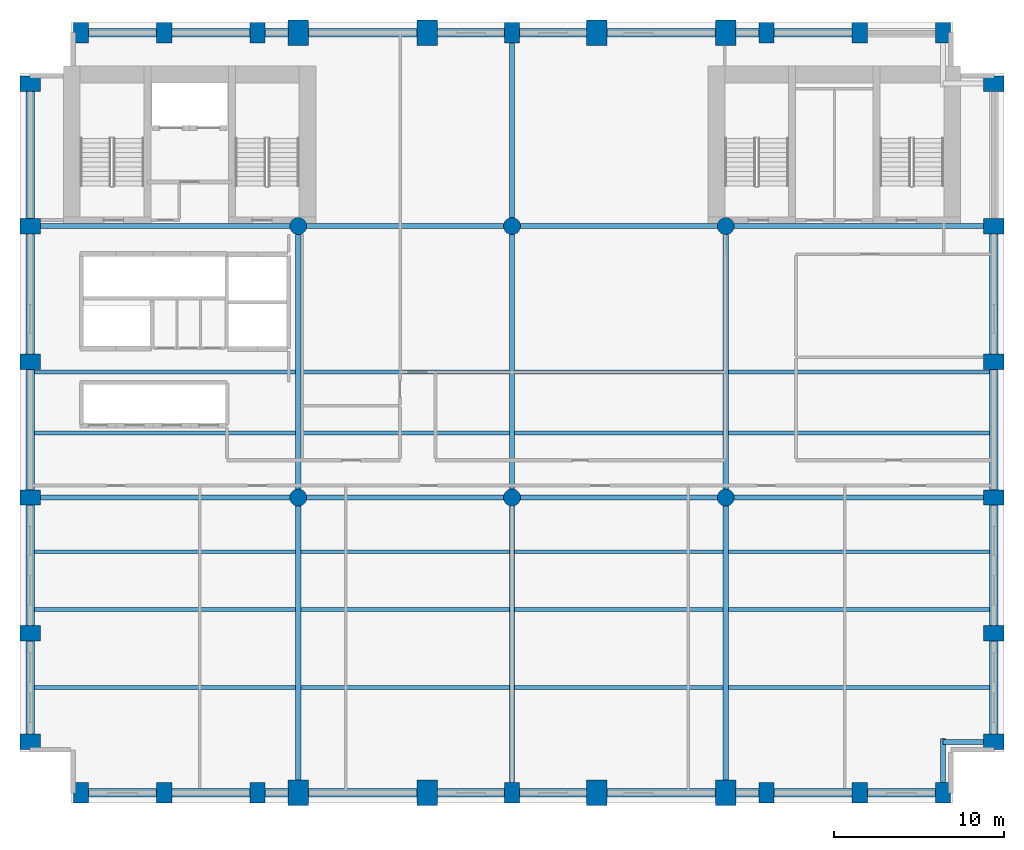
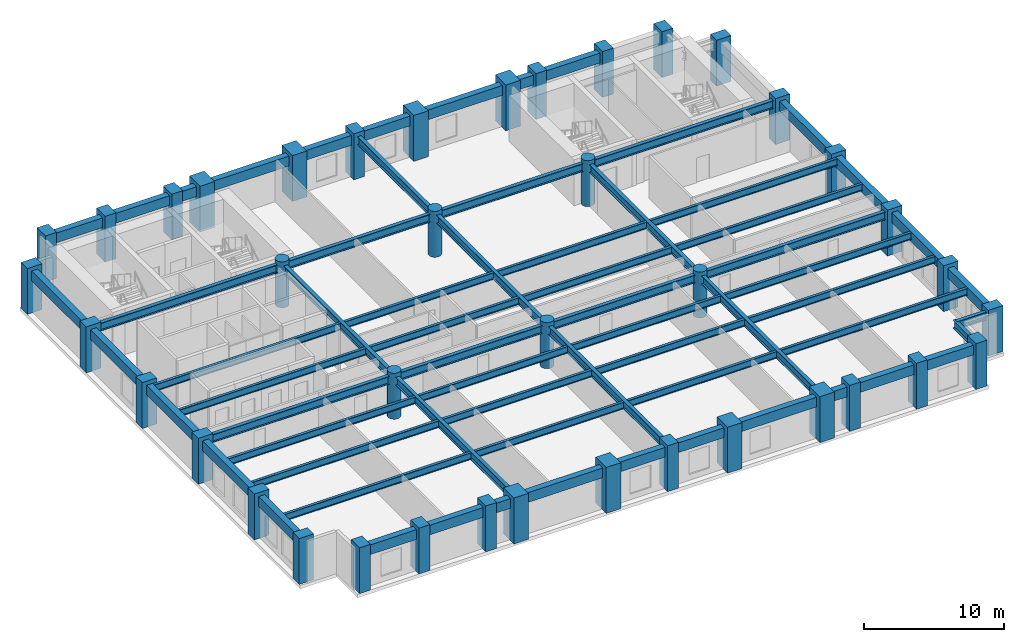
# One storey, part 1 of 8: 65 beams, 40 columns.
"""IFC4 building model written with IfcOpenShell, lengths in metres."""

from ifc_helpers import new_model, si_unit, direction, frame, origin, origin_2d, place, context, subcontext, project, spatial, rectangle, circle, i_section, extrude, material, material_profile, profile_set, type_object, element, save


model = new_model("IFC4")

# Units and contexts
model_context = context("Model", 3, precision=1e-05, world=origin(), true_north=direction((0.0, 1.0)))
body_context = subcontext(model_context, "Body", "Model", "MODEL_VIEW")
ifc_project = project(units=[si_unit("LENGTHUNIT", "METRE"), si_unit("AREAUNIT", "SQUARE_METRE"), si_unit("VOLUMEUNIT", "CUBIC_METRE"), si_unit("PLANEANGLEUNIT", "RADIAN"), si_unit("MASSUNIT", "GRAM", prefix="KILO")], contexts=[model_context])

# Site, building, storey
site_placement = place(None, origin())
site = spatial("IfcSite", under=ifc_project, at=site_placement, CompositionType="ELEMENT")
building_placement = place(site_placement, origin())
building = spatial("IfcBuilding", under=site, at=building_placement, Name="Sulina Concourse Tower", CompositionType="ELEMENT")
storey_placement = place(building_placement, frame((0.0, 0.0, 78.60009765625)))
storey = spatial("IfcBuildingStorey", under=building, at=storey_placement, Name="L19", CompositionType="ELEMENT", Elevation=78.60009765625)

# Columns
ifc_material_1 = material(Name="Concrete C60/75", Category="concrete")
ifc_material_profile_1 = material_profile(ifc_material_1, circle(Radius=0.5, at=origin_2d()), Name="RC D1000")
ifc_profile_set_1 = profile_set([ifc_material_profile_1], Name="Concrete C60/75")
column_type_1 = type_object("IfcColumnType", Name="Lower Interior Circular Column D1000", PredefinedType="COLUMN", material=ifc_profile_set_1)
for number, where, z_axis, x_axis, name in (
    (1, (16.39990234375, 18.0, 0.0), (0.0, 0.0, 1.0), (1.0, 0.0, 0.0), "L19 structural column IC-M-164"),
    (2, (16.39990234375, 34.0, 0.0), (0.0, 0.0, 1.0), (1.0, 0.0, 0.0), "L19 structural column IC-N-164"),
    (3, (29.0, 18.0, 0.0), (0.0, 0.0, 1.0), (1.0, 0.0, 0.0), "L19 structural column IC-M-290"),
    (4, (29.0, 34.0, 0.0), (0.0, 0.0, 1.0), (1.0, 0.0, 0.0), "L19 structural column IC-N-290"),
    (5, (41.60009765625, 18.0, 0.0), (0.0, 0.0, 1.0), (1.0, 0.0, 0.0), "L19 structural column IC-M-416"),
    (6, (41.60009765625, 34.0, 0.0), (0.0, 0.0, 1.0), (1.0, 0.0, 0.0), "L19 structural column IC-N-416"),
):
    element("IfcColumn", number, at=place(storey_placement, frame(where, z_axis=z_axis, x_axis=x_axis)), inside=storey, type_object=column_type_1, Name=name, PredefinedType="COLUMN", context=body_context, shape_type="SweptSolid", body=[
        extrude(circle(Radius=0.5, at=origin_2d()), origin(), (0.0, 0.0, 1.0), 4.0),
    ])
ifc_material_2 = material(Name="Concrete C80/95", Category="concrete")
ifc_material_profile_2 = material_profile(ifc_material_2, rectangle(XDim=1.199951171875, YDim=1.5, at=origin_2d()), Name="RC 1200x1500")
ifc_profile_set_2 = profile_set([ifc_material_profile_2], Name="Concrete C80/95")
column_type_2 = type_object("IfcColumnType", Name="Lower Portal End-Leg Column 1200x1500", PredefinedType="COLUMN", material=ifc_profile_set_2)
for number, where, z_axis, x_axis, name in (
    (7, (16.39990234375, 0.60009765625, 0.0), (0.0, 0.0, 1.0), (1.0, 0.0, 0.0), "L19 structural column TP-S-164"),
    (8, (16.39990234375, 45.39990234375, 0.0), (0.0, 0.0, 1.0), (1.0, 0.0, 0.0), "L19 structural column TP-N-164"),
    (9, (24.0, 0.60009765625, 0.0), (0.0, 0.0, 1.0), (1.0, 0.0, 0.0), "L19 structural column TP-S-240"),
    (10, (24.0, 45.39990234375, 0.0), (0.0, 0.0, 1.0), (1.0, 0.0, 0.0), "L19 structural column TP-N-240"),
    (11, (34.0, 0.60009765625, 0.0), (0.0, 0.0, 1.0), (1.0, 0.0, 0.0), "L19 structural column TP-S-340"),
    (12, (34.0, 45.39990234375, 0.0), (0.0, 0.0, 1.0), (1.0, 0.0, 0.0), "L19 structural column TP-N-340"),
    (13, (41.60009765625, 0.60009765625, 0.0), (0.0, 0.0, 1.0), (1.0, 0.0, 0.0), "L19 structural column TP-S-416"),
    (14, (41.60009765625, 45.39990234375, 0.0), (0.0, 0.0, 1.0), (1.0, 0.0, 0.0), "L19 structural column TP-N-416"),
):
    element("IfcColumn", number, at=place(storey_placement, frame(where, z_axis=z_axis, x_axis=x_axis)), inside=storey, type_object=column_type_2, Name=name, PredefinedType="COLUMN", context=body_context, shape_type="SweptSolid", body=[
        extrude(rectangle(XDim=1.199951171875, YDim=1.5, at=origin_2d()), origin(), (0.0, 0.0, 1.0), 4.0),
    ])
ifc_material_3 = material(Name="Precast concrete C60/75", Category="concrete")
ifc_material_profile_3 = material_profile(ifc_material_3, rectangle(XDim=0.89990234375, YDim=1.199951171875, at=origin_2d()), Name="PC 900x1200")
ifc_profile_set_3 = profile_set([ifc_material_profile_3], Name="Precast concrete C60/75")
column_type_3 = type_object("IfcColumnType", Name="Precast Tube Pier Zone 1 900x1200", PredefinedType="COLUMN", material=ifc_profile_set_3)
for number, where, z_axis, x_axis, name in (
    (15, (3.60009765625, 0.60009765625, 0.0), (0.0, 0.0, 1.0), (1.0, 0.0, 0.0), "L19 structural column TP-S-36"),
    (16, (3.60009765625, 45.39990234375, 0.0), (0.0, 0.0, 1.0), (1.0, 0.0, 0.0), "L19 structural column TP-N-36"),
    (17, (8.5, 0.60009765625, 0.0), (0.0, 0.0, 1.0), (1.0, 0.0, 0.0), "L19 structural column TP-S-85"),
    (18, (8.5, 45.39990234375, 0.0), (0.0, 0.0, 1.0), (1.0, 0.0, 0.0), "L19 structural column TP-N-85"),
    (19, (14.0, 0.60009765625, 0.0), (0.0, 0.0, 1.0), (1.0, 0.0, 0.0), "L19 structural column TP-S-140"),
    (20, (14.0, 45.39990234375, 0.0), (0.0, 0.0, 1.0), (1.0, 0.0, 0.0), "L19 structural column TP-N-140"),
    (21, (29.0, 0.60009765625, 0.0), (0.0, 0.0, 1.0), (1.0, 0.0, 0.0), "L19 structural column TP-S-290"),
    (22, (29.0, 45.39990234375, 0.0), (0.0, 0.0, 1.0), (1.0, 0.0, 0.0), "L19 structural column TP-N-290"),
    (23, (44.0, 0.60009765625, 0.0), (0.0, 0.0, 1.0), (1.0, 0.0, 0.0), "L19 structural column TP-S-440"),
    (24, (44.0, 45.39990234375, 0.0), (0.0, 0.0, 1.0), (1.0, 0.0, 0.0), "L19 structural column TP-N-440"),
    (25, (49.5, 0.60009765625, 0.0), (0.0, 0.0, 1.0), (1.0, 0.0, 0.0), "L19 structural column TP-S-495"),
    (26, (49.5, 45.39990234375, 0.0), (0.0, 0.0, 1.0), (1.0, 0.0, 0.0), "L19 structural column TP-N-495"),
    (27, (54.39990234375, 0.60009765625, 0.0), (0.0, 0.0, 1.0), (1.0, 0.0, 0.0), "L19 structural column TP-S-544"),
    (28, (54.39990234375, 45.39990234375, 0.0), (0.0, 0.0, 1.0), (1.0, 0.0, 0.0), "L19 structural column TP-N-544"),
    (29, (0.60009765625, 3.60009765625, 0.0), (0.0, 0.0, 1.0), (0.0, 1.0, 0.0), "L19 structural column TP-W-36"),
    (30, (57.39990234375, 3.60009765625, 0.0), (0.0, 0.0, 1.0), (0.0, 1.0, 0.0), "L19 structural column TP-E-36"),
    (31, (0.60009765625, 10.0, 0.0), (0.0, 0.0, 1.0), (0.0, 1.0, 0.0), "L19 structural column TP-W-100"),
    (32, (57.39990234375, 10.0, 0.0), (0.0, 0.0, 1.0), (0.0, 1.0, 0.0), "L19 structural column TP-E-100"),
    (33, (0.60009765625, 18.0, 0.0), (0.0, 0.0, 1.0), (0.0, 1.0, 0.0), "L19 structural column TP-W-180"),
    (34, (57.39990234375, 18.0, 0.0), (0.0, 0.0, 1.0), (0.0, 1.0, 0.0), "L19 structural column TP-E-180"),
    (35, (0.60009765625, 26.0, 0.0), (0.0, 0.0, 1.0), (0.0, 1.0, 0.0), "L19 structural column TP-W-260"),
    (36, (57.39990234375, 26.0, 0.0), (0.0, 0.0, 1.0), (0.0, 1.0, 0.0), "L19 structural column TP-E-260"),
    (37, (0.60009765625, 34.0, 0.0), (0.0, 0.0, 1.0), (0.0, 1.0, 0.0), "L19 structural column TP-W-340"),
    (38, (57.39990234375, 34.0, 0.0), (0.0, 0.0, 1.0), (0.0, 1.0, 0.0), "L19 structural column TP-E-340"),
    (39, (0.60009765625, 42.39990234375, 0.0), (0.0, 0.0, 1.0), (0.0, 1.0, 0.0), "L19 structural column TP-W-424"),
    (40, (57.39990234375, 42.39990234375, 0.0), (0.0, 0.0, 1.0), (0.0, 1.0, 0.0), "L19 structural column TP-E-424"),
):
    element("IfcColumn", number, at=place(storey_placement, frame(where, z_axis=z_axis, x_axis=x_axis)), inside=storey, type_object=column_type_3, Name=name, PredefinedType="COLUMN", context=body_context, shape_type="SweptSolid", body=[
        extrude(rectangle(XDim=0.89990234375, YDim=1.199951171875, at=origin_2d()), origin(), (0.0, 0.0, 1.0), 4.0),
    ])

# Beams
ifc_material_4 = material(Name="Steel S355", Category="steel")
ifc_material_profile_4 = material_profile(ifc_material_4, i_section(OverallWidth=0.219970703125, OverallDepth=0.60009765625, WebThickness=0.011962890625, FlangeThickness=0.01904296875, at=origin_2d()), Name="IPE 600")
ifc_profile_set_4 = profile_set([ifc_material_profile_4], Name="Steel S355")
beam_type_1 = type_object("IfcBeamType", Name="Composite Floor Joist IPE600", PredefinedType="JOIST", material=ifc_profile_set_4)
beam_1_placement = place(storey_placement, frame((0.85009765625, 6.800048828125, 3.35986328125), z_axis=(1.0, 0.0, 0.0), x_axis=(0.0, 1.0, 0.0)))
element("IfcBeam", 41, at=beam_1_placement, inside=storey, type_object=beam_type_1, Name="FJ-J06-1-L19", PredefinedType="JOIST", context=body_context, shape_type="SweptSolid", body=[
    extrude(i_section(OverallWidth=0.219970703125, OverallDepth=0.60009765625, WebThickness=0.011962890625, FlangeThickness=0.01904296875, at=origin_2d()), origin(), (0.0, 0.0, 1.0), 15.39990234375),
])
for number, where, z_axis, x_axis, name in (
    (42, (16.550048828125, 6.800048828125, 3.35986328125), (1.0, 0.0, 0.0), (0.0, 1.0, 0.0), "FJ-J06-2-L19"),
    (43, (29.14990234375, 6.800048828125, 3.35986328125), (1.0, 0.0, 0.0), (0.0, 1.0, 0.0), "FJ-J06-3-L19"),
):
    element("IfcBeam", number, at=place(storey_placement, frame(where, z_axis=z_axis, x_axis=x_axis)), inside=storey, type_object=beam_type_1, Name=name, PredefinedType="JOIST", context=body_context, shape_type="SweptSolid", body=[
        extrude(i_section(OverallWidth=0.219970703125, OverallDepth=0.60009765625, WebThickness=0.011962890625, FlangeThickness=0.01904296875, at=origin_2d()), origin(), (0.0, 0.0, 1.0), 12.300048828125),
    ])
for number, where, z_axis, x_axis, name in (
    (44, (41.75, 6.800048828125, 3.35986328125), (1.0, 0.0, 0.0), (0.0, 1.0, 0.0), "FJ-J06-4-L19"),
    (45, (0.85009765625, 11.39990234375, 3.35986328125), (1.0, 0.0, 0.0), (0.0, 1.0, 0.0), "FJ-J11-1-L19"),
):
    element("IfcBeam", number, at=place(storey_placement, frame(where, z_axis=z_axis, x_axis=x_axis)), inside=storey, type_object=beam_type_1, Name=name, PredefinedType="JOIST", context=body_context, shape_type="SweptSolid", body=[
        extrude(i_section(OverallWidth=0.219970703125, OverallDepth=0.60009765625, WebThickness=0.011962890625, FlangeThickness=0.01904296875, at=origin_2d()), origin(), (0.0, 0.0, 1.0), 15.39990234375),
    ])
for number, where, z_axis, x_axis, name in (
    (46, (16.550048828125, 11.39990234375, 3.35986328125), (1.0, 0.0, 0.0), (0.0, 1.0, 0.0), "FJ-J11-2-L19"),
    (47, (29.14990234375, 11.39990234375, 3.35986328125), (1.0, 0.0, 0.0), (0.0, 1.0, 0.0), "FJ-J11-3-L19"),
):
    element("IfcBeam", number, at=place(storey_placement, frame(where, z_axis=z_axis, x_axis=x_axis)), inside=storey, type_object=beam_type_1, Name=name, PredefinedType="JOIST", context=body_context, shape_type="SweptSolid", body=[
        extrude(i_section(OverallWidth=0.219970703125, OverallDepth=0.60009765625, WebThickness=0.011962890625, FlangeThickness=0.01904296875, at=origin_2d()), origin(), (0.0, 0.0, 1.0), 12.300048828125),
    ])
for number, where, z_axis, x_axis, name in (
    (48, (41.75, 11.39990234375, 3.35986328125), (1.0, 0.0, 0.0), (0.0, 1.0, 0.0), "FJ-J11-4-L19"),
    (49, (0.85009765625, 14.800048828125, 3.35986328125), (1.0, 0.0, 0.0), (0.0, 1.0, 0.0), "FJ-J15-1-L19"),
):
    element("IfcBeam", number, at=place(storey_placement, frame(where, z_axis=z_axis, x_axis=x_axis)), inside=storey, type_object=beam_type_1, Name=name, PredefinedType="JOIST", context=body_context, shape_type="SweptSolid", body=[
        extrude(i_section(OverallWidth=0.219970703125, OverallDepth=0.60009765625, WebThickness=0.011962890625, FlangeThickness=0.01904296875, at=origin_2d()), origin(), (0.0, 0.0, 1.0), 15.39990234375),
    ])
for number, where, z_axis, x_axis, name in (
    (50, (16.550048828125, 14.800048828125, 3.35986328125), (1.0, 0.0, 0.0), (0.0, 1.0, 0.0), "FJ-J15-2-L19"),
    (51, (29.14990234375, 14.800048828125, 3.35986328125), (1.0, 0.0, 0.0), (0.0, 1.0, 0.0), "FJ-J15-3-L19"),
):
    element("IfcBeam", number, at=place(storey_placement, frame(where, z_axis=z_axis, x_axis=x_axis)), inside=storey, type_object=beam_type_1, Name=name, PredefinedType="JOIST", context=body_context, shape_type="SweptSolid", body=[
        extrude(i_section(OverallWidth=0.219970703125, OverallDepth=0.60009765625, WebThickness=0.011962890625, FlangeThickness=0.01904296875, at=origin_2d()), origin(), (0.0, 0.0, 1.0), 12.300048828125),
    ])
for number, where, z_axis, x_axis, name in (
    (52, (41.75, 14.800048828125, 3.35986328125), (1.0, 0.0, 0.0), (0.0, 1.0, 0.0), "FJ-J15-4-L19"),
    (53, (0.85009765625, 21.800048828125, 3.35986328125), (1.0, 0.0, 0.0), (0.0, 1.0, 0.0), "FJ-J22-1-L19"),
):
    element("IfcBeam", number, at=place(storey_placement, frame(where, z_axis=z_axis, x_axis=x_axis)), inside=storey, type_object=beam_type_1, Name=name, PredefinedType="JOIST", context=body_context, shape_type="SweptSolid", body=[
        extrude(i_section(OverallWidth=0.219970703125, OverallDepth=0.60009765625, WebThickness=0.011962890625, FlangeThickness=0.01904296875, at=origin_2d()), origin(), (0.0, 0.0, 1.0), 15.39990234375),
    ])
for number, where, z_axis, x_axis, name in (
    (54, (16.550048828125, 21.800048828125, 3.35986328125), (1.0, 0.0, 0.0), (0.0, 1.0, 0.0), "FJ-J22-2-L19"),
    (55, (29.14990234375, 21.800048828125, 3.35986328125), (1.0, 0.0, 0.0), (0.0, 1.0, 0.0), "FJ-J22-3-L19"),
):
    element("IfcBeam", number, at=place(storey_placement, frame(where, z_axis=z_axis, x_axis=x_axis)), inside=storey, type_object=beam_type_1, Name=name, PredefinedType="JOIST", context=body_context, shape_type="SweptSolid", body=[
        extrude(i_section(OverallWidth=0.219970703125, OverallDepth=0.60009765625, WebThickness=0.011962890625, FlangeThickness=0.01904296875, at=origin_2d()), origin(), (0.0, 0.0, 1.0), 12.300048828125),
    ])
for number, where, z_axis, x_axis, name in (
    (56, (41.75, 21.800048828125, 3.35986328125), (1.0, 0.0, 0.0), (0.0, 1.0, 0.0), "FJ-J22-4-L19"),
    (57, (0.85009765625, 25.39990234375, 3.35986328125), (1.0, 0.0, 0.0), (0.0, 1.0, 0.0), "FJ-J25-1-L19"),
):
    element("IfcBeam", number, at=place(storey_placement, frame(where, z_axis=z_axis, x_axis=x_axis)), inside=storey, type_object=beam_type_1, Name=name, PredefinedType="JOIST", context=body_context, shape_type="SweptSolid", body=[
        extrude(i_section(OverallWidth=0.219970703125, OverallDepth=0.60009765625, WebThickness=0.011962890625, FlangeThickness=0.01904296875, at=origin_2d()), origin(), (0.0, 0.0, 1.0), 15.39990234375),
    ])
for number, where, z_axis, x_axis, name in (
    (58, (16.550048828125, 25.39990234375, 3.35986328125), (1.0, 0.0, 0.0), (0.0, 1.0, 0.0), "FJ-J25-2-L19"),
    (59, (29.14990234375, 25.39990234375, 3.35986328125), (1.0, 0.0, 0.0), (0.0, 1.0, 0.0), "FJ-J25-3-L19"),
):
    element("IfcBeam", number, at=place(storey_placement, frame(where, z_axis=z_axis, x_axis=x_axis)), inside=storey, type_object=beam_type_1, Name=name, PredefinedType="JOIST", context=body_context, shape_type="SweptSolid", body=[
        extrude(i_section(OverallWidth=0.219970703125, OverallDepth=0.60009765625, WebThickness=0.011962890625, FlangeThickness=0.01904296875, at=origin_2d()), origin(), (0.0, 0.0, 1.0), 12.300048828125),
    ])
beam_2_placement = place(storey_placement, frame((41.75, 25.39990234375, 3.35986328125), z_axis=(1.0, 0.0, 0.0), x_axis=(0.0, 1.0, 0.0)))
element("IfcBeam", 60, at=beam_2_placement, inside=storey, type_object=beam_type_1, Name="FJ-J25-4-L19", PredefinedType="JOIST", context=body_context, shape_type="SweptSolid", body=[
    extrude(i_section(OverallWidth=0.219970703125, OverallDepth=0.60009765625, WebThickness=0.011962890625, FlangeThickness=0.01904296875, at=origin_2d()), origin(), (0.0, 0.0, 1.0), 15.39990234375),
])
ifc_material_5 = material(Name="Steel S355", Category="steel")
ifc_material_profile_5 = material_profile(ifc_material_5, i_section(OverallWidth=0.300048828125, OverallDepth=0.699951171875, WebThickness=0.01708984375, FlangeThickness=0.031982421875, at=origin_2d()), Name="HE 700 B")
ifc_profile_set_5 = profile_set([ifc_material_profile_5], Name="Steel S355")
beam_type_2 = type_object("IfcBeamType", Name="Floor Primary Girder Zone 1 HE700B", PredefinedType="BEAM", material=ifc_profile_set_5)
beam_3_placement = place(storey_placement, frame((54.39990234375, 3.60009765625, 3.309814453125), z_axis=(1.0, 0.0, 0.0), x_axis=(0.0, 1.0, 0.0)))
element("IfcBeam", 61, at=beam_3_placement, inside=storey, type_object=beam_type_2, Name="TIE-SE-L19", PredefinedType="BEAM", context=body_context, shape_type="SweptSolid", body=[
    extrude(i_section(OverallWidth=0.300048828125, OverallDepth=0.699951171875, WebThickness=0.01708984375, FlangeThickness=0.031982421875, at=origin_2d()), origin(), (0.0, 0.0, 1.0), 2.570068359375),
])
beam_4_placement = place(storey_placement, frame((54.39990234375, 1.030029296875, 3.309814453125), z_axis=(0.0, 1.0, 0.0), x_axis=(-1.0, 0.0, 0.0)))
element("IfcBeam", 62, at=beam_4_placement, inside=storey, type_object=beam_type_2, Name="TIE-SES-L19", PredefinedType="BEAM", context=body_context, shape_type="SweptSolid", body=[
    extrude(i_section(OverallWidth=0.300048828125, OverallDepth=0.699951171875, WebThickness=0.01708984375, FlangeThickness=0.031982421875, at=origin_2d()), origin(), (0.0, 0.0, 1.0), 2.77001953125),
])
beam_5_placement = place(storey_placement, frame((1.030029296875, 18.0, 3.309814453125), z_axis=(1.0, 0.0, 0.0), x_axis=(0.0, 1.0, 0.0)))
element("IfcBeam", 63, at=beam_5_placement, inside=storey, type_object=beam_type_2, Name="FG-EW1-L19", PredefinedType="BEAM", context=body_context, shape_type="SweptSolid", body=[
    extrude(i_section(OverallWidth=0.300048828125, OverallDepth=0.699951171875, WebThickness=0.01708984375, FlangeThickness=0.031982421875, at=origin_2d()), origin(), (0.0, 0.0, 1.0), 14.889892578125),
])
for number, where, z_axis, x_axis, name in (
    (64, (16.8798828125, 18.0, 3.309814453125), (1.0, 0.0, 0.0), (0.0, 1.0, 0.0), "FG-EW2-L19"),
    (65, (29.47998046875, 18.0, 3.309814453125), (1.0, 0.0, 0.0), (0.0, 1.0, 0.0), "FG-EW3-L19"),
):
    element("IfcBeam", number, at=place(storey_placement, frame(where, z_axis=z_axis, x_axis=x_axis)), inside=storey, type_object=beam_type_2, Name=name, PredefinedType="BEAM", context=body_context, shape_type="SweptSolid", body=[
        extrude(i_section(OverallWidth=0.300048828125, OverallDepth=0.699951171875, WebThickness=0.01708984375, FlangeThickness=0.031982421875, at=origin_2d()), origin(), (0.0, 0.0, 1.0), 11.64013671875),
    ])
for number, where, z_axis, x_axis, name in (
    (66, (42.080078125, 18.0, 3.309814453125), (1.0, 0.0, 0.0), (0.0, 1.0, 0.0), "FG-EW4-L19"),
    (67, (1.030029296875, 34.0, 3.309814453125), (1.0, 0.0, 0.0), (0.0, 1.0, 0.0), "FG-EWN1-L19"),
):
    element("IfcBeam", number, at=place(storey_placement, frame(where, z_axis=z_axis, x_axis=x_axis)), inside=storey, type_object=beam_type_2, Name=name, PredefinedType="BEAM", context=body_context, shape_type="SweptSolid", body=[
        extrude(i_section(OverallWidth=0.300048828125, OverallDepth=0.699951171875, WebThickness=0.01708984375, FlangeThickness=0.031982421875, at=origin_2d()), origin(), (0.0, 0.0, 1.0), 14.889892578125),
    ])
for number, where, z_axis, x_axis, name in (
    (68, (16.8798828125, 34.0, 3.309814453125), (1.0, 0.0, 0.0), (0.0, 1.0, 0.0), "FG-EWN2-L19"),
    (69, (29.47998046875, 34.0, 3.309814453125), (1.0, 0.0, 0.0), (0.0, 1.0, 0.0), "FG-EWN3-L19"),
):
    element("IfcBeam", number, at=place(storey_placement, frame(where, z_axis=z_axis, x_axis=x_axis)), inside=storey, type_object=beam_type_2, Name=name, PredefinedType="BEAM", context=body_context, shape_type="SweptSolid", body=[
        extrude(i_section(OverallWidth=0.300048828125, OverallDepth=0.699951171875, WebThickness=0.01708984375, FlangeThickness=0.031982421875, at=origin_2d()), origin(), (0.0, 0.0, 1.0), 11.64013671875),
    ])
beam_6_placement = place(storey_placement, frame((42.080078125, 34.0, 3.309814453125), z_axis=(1.0, 0.0, 0.0), x_axis=(0.0, 1.0, 0.0)))
element("IfcBeam", 70, at=beam_6_placement, inside=storey, type_object=beam_type_2, Name="FG-EWN4-L19", PredefinedType="BEAM", context=body_context, shape_type="SweptSolid", body=[
    extrude(i_section(OverallWidth=0.300048828125, OverallDepth=0.699951171875, WebThickness=0.01708984375, FlangeThickness=0.031982421875, at=origin_2d()), origin(), (0.0, 0.0, 1.0), 14.889892578125),
])
beam_7_placement = place(storey_placement, frame((16.39990234375, 1.179931640625, 3.309814453125), z_axis=(0.0, 1.0, 0.0), x_axis=(-1.0, 0.0, 0.0)))
element("IfcBeam", 71, at=beam_7_placement, inside=storey, type_object=beam_type_2, Name="FG-NSA-16-L19", PredefinedType="BEAM", context=body_context, shape_type="SweptSolid", body=[
    extrude(i_section(OverallWidth=0.300048828125, OverallDepth=0.699951171875, WebThickness=0.01708984375, FlangeThickness=0.031982421875, at=origin_2d()), origin(), (0.0, 0.0, 1.0), 16.340087890625),
])
beam_8_placement = place(storey_placement, frame((16.39990234375, 18.47998046875, 3.309814453125), z_axis=(0.0, 1.0, 0.0), x_axis=(-1.0, 0.0, 0.0)))
element("IfcBeam", 72, at=beam_8_placement, inside=storey, type_object=beam_type_2, Name="FG-NSB-16-L19", PredefinedType="BEAM", context=body_context, shape_type="SweptSolid", body=[
    extrude(i_section(OverallWidth=0.300048828125, OverallDepth=0.699951171875, WebThickness=0.01708984375, FlangeThickness=0.031982421875, at=origin_2d()), origin(), (0.0, 0.0, 1.0), 15.0400390625),
])
beam_9_placement = place(storey_placement, frame((29.0, 1.030029296875, 3.309814453125), z_axis=(0.0, 1.0, 0.0), x_axis=(-1.0, 0.0, 0.0)))
element("IfcBeam", 73, at=beam_9_placement, inside=storey, type_object=beam_type_2, Name="FG-NSA-29-L19", PredefinedType="BEAM", context=body_context, shape_type="SweptSolid", body=[
    extrude(i_section(OverallWidth=0.300048828125, OverallDepth=0.699951171875, WebThickness=0.01708984375, FlangeThickness=0.031982421875, at=origin_2d()), origin(), (0.0, 0.0, 1.0), 16.489990234375),
])
beam_10_placement = place(storey_placement, frame((29.0, 18.47998046875, 3.309814453125), z_axis=(0.0, 1.0, 0.0), x_axis=(-1.0, 0.0, 0.0)))
element("IfcBeam", 74, at=beam_10_placement, inside=storey, type_object=beam_type_2, Name="FG-NSB-29-L19", PredefinedType="BEAM", context=body_context, shape_type="SweptSolid", body=[
    extrude(i_section(OverallWidth=0.300048828125, OverallDepth=0.699951171875, WebThickness=0.01708984375, FlangeThickness=0.031982421875, at=origin_2d()), origin(), (0.0, 0.0, 1.0), 15.0400390625),
])
beam_11_placement = place(storey_placement, frame((29.0, 34.47998046875, 3.309814453125), z_axis=(0.0, 1.0, 0.0), x_axis=(-1.0, 0.0, 0.0)))
element("IfcBeam", 75, at=beam_11_placement, inside=storey, type_object=beam_type_2, Name="FG-NSC-29-L19", PredefinedType="BEAM", context=body_context, shape_type="SweptSolid", body=[
    extrude(i_section(OverallWidth=0.300048828125, OverallDepth=0.699951171875, WebThickness=0.01708984375, FlangeThickness=0.031982421875, at=origin_2d()), origin(), (0.0, 0.0, 1.0), 10.489990234375),
])
beam_12_placement = place(storey_placement, frame((41.60009765625, 1.179931640625, 3.309814453125), z_axis=(0.0, 1.0, 0.0), x_axis=(-1.0, 0.0, 0.0)))
element("IfcBeam", 76, at=beam_12_placement, inside=storey, type_object=beam_type_2, Name="FG-NSA-41-L19", PredefinedType="BEAM", context=body_context, shape_type="SweptSolid", body=[
    extrude(i_section(OverallWidth=0.300048828125, OverallDepth=0.699951171875, WebThickness=0.01708984375, FlangeThickness=0.031982421875, at=origin_2d()), origin(), (0.0, 0.0, 1.0), 16.340087890625),
])
beam_13_placement = place(storey_placement, frame((41.60009765625, 18.47998046875, 3.309814453125), z_axis=(0.0, 1.0, 0.0), x_axis=(-1.0, 0.0, 0.0)))
element("IfcBeam", 77, at=beam_13_placement, inside=storey, type_object=beam_type_2, Name="FG-NSB-41-L19", PredefinedType="BEAM", context=body_context, shape_type="SweptSolid", body=[
    extrude(i_section(OverallWidth=0.300048828125, OverallDepth=0.699951171875, WebThickness=0.01708984375, FlangeThickness=0.031982421875, at=origin_2d()), origin(), (0.0, 0.0, 1.0), 15.0400390625),
])
ifc_material_6 = material(Name="Precast concrete C50/60", Category="concrete")
ifc_material_profile_6 = material_profile(ifc_material_6, rectangle(XDim=0.5, YDim=0.85009765625, at=origin_2d()), Name="RC 500x850")
ifc_profile_set_6 = profile_set([ifc_material_profile_6], Name="Precast concrete C50/60")
beam_type_3 = type_object("IfcBeamType", Name="Lower Precast Spandrel Edge Beam 500x850", PredefinedType="BEAM", material=ifc_profile_set_6)
beam_14_placement = place(storey_placement, frame((4.030029296875, 0.60009765625, 3.23486328125), z_axis=(1.0, 0.0, 0.0), x_axis=(0.0, 1.0, 0.0)))
element("IfcBeam", 78, at=beam_14_placement, inside=storey, type_object=beam_type_3, Name="SP-S1-L19", PredefinedType="BEAM", context=body_context, shape_type="SweptSolid", body=[
    extrude(rectangle(XDim=0.5, YDim=0.85009765625, at=origin_2d()), origin(), (0.0, 0.0, 1.0), 4.0400390625),
])
beam_15_placement = place(storey_placement, frame((8.929931640625, 0.60009765625, 3.23486328125), z_axis=(1.0, 0.0, 0.0), x_axis=(0.0, 1.0, 0.0)))
element("IfcBeam", 79, at=beam_15_placement, inside=storey, type_object=beam_type_3, Name="SP-S2-L19", PredefinedType="BEAM", context=body_context, shape_type="SweptSolid", body=[
    extrude(rectangle(XDim=0.5, YDim=0.85009765625, at=origin_2d()), origin(), (0.0, 0.0, 1.0), 4.64013671875),
])
beam_16_placement = place(storey_placement, frame((14.429931640625, 0.60009765625, 3.23486328125), z_axis=(1.0, 0.0, 0.0), x_axis=(0.0, 1.0, 0.0)))
element("IfcBeam", 80, at=beam_16_placement, inside=storey, type_object=beam_type_3, Name="SP-S3-L19", PredefinedType="BEAM", context=body_context, shape_type="SweptSolid", body=[
    extrude(rectangle(XDim=0.5, YDim=0.85009765625, at=origin_2d()), origin(), (0.0, 0.0, 1.0), 1.39013671875),
])
beam_17_placement = place(storey_placement, frame((16.97998046875, 0.60009765625, 3.23486328125), z_axis=(1.0, 0.0, 0.0), x_axis=(0.0, 1.0, 0.0)))
element("IfcBeam", 81, at=beam_17_placement, inside=storey, type_object=beam_type_3, Name="SP-S4-L19", PredefinedType="BEAM", context=body_context, shape_type="SweptSolid", body=[
    extrude(rectangle(XDim=0.5, YDim=0.85009765625, at=origin_2d()), origin(), (0.0, 0.0, 1.0), 6.43994140625),
])
for number, where, z_axis, x_axis, name in (
    (82, (24.580078125, 0.60009765625, 3.23486328125), (1.0, 0.0, 0.0), (0.0, 1.0, 0.0), "SP-S5-L19"),
    (83, (29.429931640625, 0.60009765625, 3.23486328125), (1.0, 0.0, 0.0), (0.0, 1.0, 0.0), "SP-S6-L19"),
):
    element("IfcBeam", number, at=place(storey_placement, frame(where, z_axis=z_axis, x_axis=x_axis)), inside=storey, type_object=beam_type_3, Name=name, PredefinedType="BEAM", context=body_context, shape_type="SweptSolid", body=[
        extrude(rectangle(XDim=0.5, YDim=0.85009765625, at=origin_2d()), origin(), (0.0, 0.0, 1.0), 3.989990234375),
    ])
beam_18_placement = place(storey_placement, frame((34.580078125, 0.60009765625, 3.23486328125), z_axis=(1.0, 0.0, 0.0), x_axis=(0.0, 1.0, 0.0)))
element("IfcBeam", 84, at=beam_18_placement, inside=storey, type_object=beam_type_3, Name="SP-S7-L19", PredefinedType="BEAM", context=body_context, shape_type="SweptSolid", body=[
    extrude(rectangle(XDim=0.5, YDim=0.85009765625, at=origin_2d()), origin(), (0.0, 0.0, 1.0), 6.43994140625),
])
beam_19_placement = place(storey_placement, frame((42.179931640625, 0.60009765625, 3.23486328125), z_axis=(1.0, 0.0, 0.0), x_axis=(0.0, 1.0, 0.0)))
element("IfcBeam", 85, at=beam_19_placement, inside=storey, type_object=beam_type_3, Name="SP-S8-L19", PredefinedType="BEAM", context=body_context, shape_type="SweptSolid", body=[
    extrude(rectangle(XDim=0.5, YDim=0.85009765625, at=origin_2d()), origin(), (0.0, 0.0, 1.0), 1.39013671875),
])
beam_20_placement = place(storey_placement, frame((44.429931640625, 0.60009765625, 3.23486328125), z_axis=(1.0, 0.0, 0.0), x_axis=(0.0, 1.0, 0.0)))
element("IfcBeam", 86, at=beam_20_placement, inside=storey, type_object=beam_type_3, Name="SP-S9-L19", PredefinedType="BEAM", context=body_context, shape_type="SweptSolid", body=[
    extrude(rectangle(XDim=0.5, YDim=0.85009765625, at=origin_2d()), origin(), (0.0, 0.0, 1.0), 4.64013671875),
])
for number, where, z_axis, x_axis, name in (
    (87, (49.929931640625, 0.60009765625, 3.23486328125), (1.0, 0.0, 0.0), (0.0, 1.0, 0.0), "SP-S10-L19"),
    (88, (4.030029296875, 45.39990234375, 3.23486328125), (1.0, 0.0, 0.0), (0.0, 1.0, 0.0), "SP-N1-L19"),
):
    element("IfcBeam", number, at=place(storey_placement, frame(where, z_axis=z_axis, x_axis=x_axis)), inside=storey, type_object=beam_type_3, Name=name, PredefinedType="BEAM", context=body_context, shape_type="SweptSolid", body=[
        extrude(rectangle(XDim=0.5, YDim=0.85009765625, at=origin_2d()), origin(), (0.0, 0.0, 1.0), 4.0400390625),
    ])
beam_21_placement = place(storey_placement, frame((8.929931640625, 45.39990234375, 3.23486328125), z_axis=(1.0, 0.0, 0.0), x_axis=(0.0, 1.0, 0.0)))
element("IfcBeam", 89, at=beam_21_placement, inside=storey, type_object=beam_type_3, Name="SP-N2-L19", PredefinedType="BEAM", context=body_context, shape_type="SweptSolid", body=[
    extrude(rectangle(XDim=0.5, YDim=0.85009765625, at=origin_2d()), origin(), (0.0, 0.0, 1.0), 4.64013671875),
])
beam_22_placement = place(storey_placement, frame((14.429931640625, 45.39990234375, 3.23486328125), z_axis=(1.0, 0.0, 0.0), x_axis=(0.0, 1.0, 0.0)))
element("IfcBeam", 90, at=beam_22_placement, inside=storey, type_object=beam_type_3, Name="SP-N3-L19", PredefinedType="BEAM", context=body_context, shape_type="SweptSolid", body=[
    extrude(rectangle(XDim=0.5, YDim=0.85009765625, at=origin_2d()), origin(), (0.0, 0.0, 1.0), 1.39013671875),
])
beam_23_placement = place(storey_placement, frame((16.97998046875, 45.39990234375, 3.23486328125), z_axis=(1.0, 0.0, 0.0), x_axis=(0.0, 1.0, 0.0)))
element("IfcBeam", 91, at=beam_23_placement, inside=storey, type_object=beam_type_3, Name="SP-N4-L19", PredefinedType="BEAM", context=body_context, shape_type="SweptSolid", body=[
    extrude(rectangle(XDim=0.5, YDim=0.85009765625, at=origin_2d()), origin(), (0.0, 0.0, 1.0), 6.43994140625),
])
for number, where, z_axis, x_axis, name in (
    (92, (24.580078125, 45.39990234375, 3.23486328125), (1.0, 0.0, 0.0), (0.0, 1.0, 0.0), "SP-N5-L19"),
    (93, (29.429931640625, 45.39990234375, 3.23486328125), (1.0, 0.0, 0.0), (0.0, 1.0, 0.0), "SP-N6-L19"),
):
    element("IfcBeam", number, at=place(storey_placement, frame(where, z_axis=z_axis, x_axis=x_axis)), inside=storey, type_object=beam_type_3, Name=name, PredefinedType="BEAM", context=body_context, shape_type="SweptSolid", body=[
        extrude(rectangle(XDim=0.5, YDim=0.85009765625, at=origin_2d()), origin(), (0.0, 0.0, 1.0), 3.989990234375),
    ])
beam_24_placement = place(storey_placement, frame((34.580078125, 45.39990234375, 3.23486328125), z_axis=(1.0, 0.0, 0.0), x_axis=(0.0, 1.0, 0.0)))
element("IfcBeam", 94, at=beam_24_placement, inside=storey, type_object=beam_type_3, Name="SP-N7-L19", PredefinedType="BEAM", context=body_context, shape_type="SweptSolid", body=[
    extrude(rectangle(XDim=0.5, YDim=0.85009765625, at=origin_2d()), origin(), (0.0, 0.0, 1.0), 6.43994140625),
])
beam_25_placement = place(storey_placement, frame((42.179931640625, 45.39990234375, 3.23486328125), z_axis=(1.0, 0.0, 0.0), x_axis=(0.0, 1.0, 0.0)))
element("IfcBeam", 95, at=beam_25_placement, inside=storey, type_object=beam_type_3, Name="SP-N8-L19", PredefinedType="BEAM", context=body_context, shape_type="SweptSolid", body=[
    extrude(rectangle(XDim=0.5, YDim=0.85009765625, at=origin_2d()), origin(), (0.0, 0.0, 1.0), 1.39013671875),
])
beam_26_placement = place(storey_placement, frame((44.429931640625, 45.39990234375, 3.23486328125), z_axis=(1.0, 0.0, 0.0), x_axis=(0.0, 1.0, 0.0)))
element("IfcBeam", 96, at=beam_26_placement, inside=storey, type_object=beam_type_3, Name="SP-N9-L19", PredefinedType="BEAM", context=body_context, shape_type="SweptSolid", body=[
    extrude(rectangle(XDim=0.5, YDim=0.85009765625, at=origin_2d()), origin(), (0.0, 0.0, 1.0), 4.64013671875),
])
beam_27_placement = place(storey_placement, frame((0.60009765625, 4.030029296875, 3.23486328125), z_axis=(0.0, 1.0, 0.0), x_axis=(-1.0, 0.0, 0.0)))
element("IfcBeam", 97, at=beam_27_placement, inside=storey, type_object=beam_type_3, Name="SP-W1-L19", PredefinedType="BEAM", context=body_context, shape_type="SweptSolid", body=[
    extrude(rectangle(XDim=0.5, YDim=0.85009765625, at=origin_2d()), origin(), (0.0, 0.0, 1.0), 5.5400390625),
])
for number, where, z_axis, x_axis, name in (
    (98, (0.60009765625, 10.429931640625, 3.23486328125), (0.0, 1.0, 0.0), (-1.0, 0.0, 0.0), "SP-W2-L19"),
    (99, (0.60009765625, 18.429931640625, 3.23486328125), (0.0, 1.0, 0.0), (-1.0, 0.0, 0.0), "SP-W3-L19"),
    (100, (0.60009765625, 26.429931640625, 3.23486328125), (0.0, 1.0, 0.0), (-1.0, 0.0, 0.0), "SP-W4-L19"),
):
    element("IfcBeam", number, at=place(storey_placement, frame(where, z_axis=z_axis, x_axis=x_axis)), inside=storey, type_object=beam_type_3, Name=name, PredefinedType="BEAM", context=body_context, shape_type="SweptSolid", body=[
        extrude(rectangle(XDim=0.5, YDim=0.85009765625, at=origin_2d()), origin(), (0.0, 0.0, 1.0), 7.14013671875),
    ])
beam_28_placement = place(storey_placement, frame((0.60009765625, 34.429931640625, 3.23486328125), z_axis=(0.0, 1.0, 0.0), x_axis=(-1.0, 0.0, 0.0)))
element("IfcBeam", 101, at=beam_28_placement, inside=storey, type_object=beam_type_3, Name="SP-W5-L19", PredefinedType="BEAM", context=body_context, shape_type="SweptSolid", body=[
    extrude(rectangle(XDim=0.5, YDim=0.85009765625, at=origin_2d()), origin(), (0.0, 0.0, 1.0), 7.5400390625),
])
beam_29_placement = place(storey_placement, frame((57.39990234375, 4.030029296875, 3.23486328125), z_axis=(0.0, 1.0, 0.0), x_axis=(-1.0, 0.0, 0.0)))
element("IfcBeam", 102, at=beam_29_placement, inside=storey, type_object=beam_type_3, Name="SP-E1-L19", PredefinedType="BEAM", context=body_context, shape_type="SweptSolid", body=[
    extrude(rectangle(XDim=0.5, YDim=0.85009765625, at=origin_2d()), origin(), (0.0, 0.0, 1.0), 5.5400390625),
])
for number, where, z_axis, x_axis, name in (
    (103, (57.39990234375, 10.429931640625, 3.23486328125), (0.0, 1.0, 0.0), (-1.0, 0.0, 0.0), "SP-E2-L19"),
    (104, (57.39990234375, 18.429931640625, 3.23486328125), (0.0, 1.0, 0.0), (-1.0, 0.0, 0.0), "SP-E3-L19"),
    (105, (57.39990234375, 26.429931640625, 3.23486328125), (0.0, 1.0, 0.0), (-1.0, 0.0, 0.0), "SP-E4-L19"),
):
    element("IfcBeam", number, at=place(storey_placement, frame(where, z_axis=z_axis, x_axis=x_axis)), inside=storey, type_object=beam_type_3, Name=name, PredefinedType="BEAM", context=body_context, shape_type="SweptSolid", body=[
        extrude(rectangle(XDim=0.5, YDim=0.85009765625, at=origin_2d()), origin(), (0.0, 0.0, 1.0), 7.14013671875),
    ])

save(model, "model.ifc")
